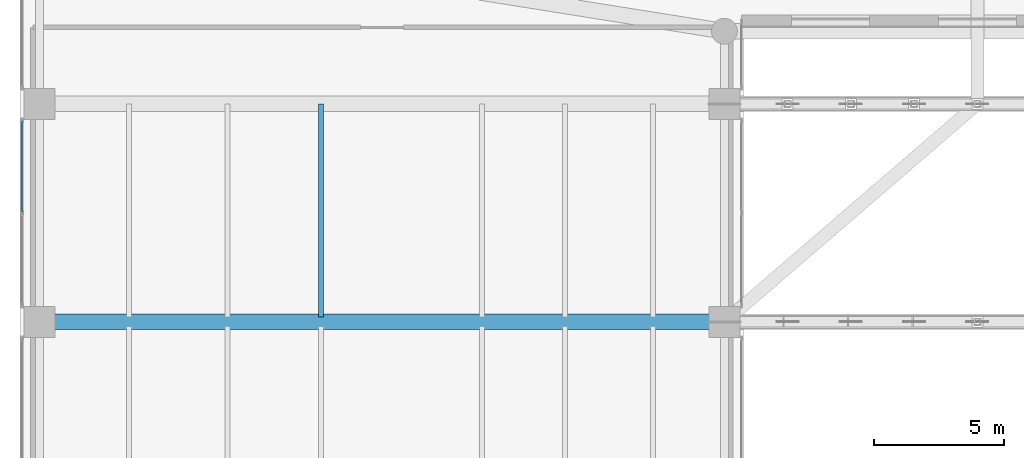
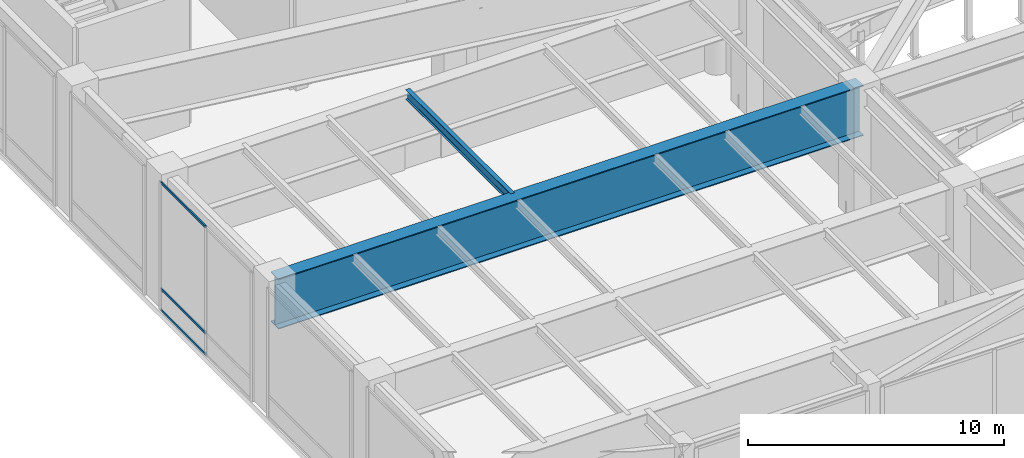
# One storey, part 12 of 50: 3 members, 2 beams, 1 element without a shape of its own.
"""IFC4 building model written with IfcOpenShell, lengths in metres."""

from ifc_helpers import new_model, si_unit, direction, frame, origin, origin_2d, place, context, subcontext, project, spatial, hollow_rectangle, i_section, extrude, source, transform, mapped, material, layer, layer_set, material_profile, profile_set, type_object, type_shapes, element, aggregate, save


model = new_model("IFC4")

# Units and contexts
model_context = context("Model", 3, precision=1e-05, world=origin(), true_north=direction((0.0, 1.0)))
body_context = subcontext(model_context, "Body", "Model", "MODEL_VIEW")
ifc_project = project(units=[si_unit("LENGTHUNIT", "METRE"), si_unit("AREAUNIT", "SQUARE_METRE"), si_unit("VOLUMEUNIT", "CUBIC_METRE"), si_unit("PLANEANGLEUNIT", "RADIAN"), si_unit("MASSUNIT", "GRAM", prefix="KILO")], contexts=[model_context])

# Site, building, storey
site_placement = place(None, origin())
site = spatial("IfcSite", under=ifc_project, at=site_placement, CompositionType="ELEMENT")
building_placement = place(site_placement, origin())
building = spatial("IfcBuilding", under=site, at=building_placement, Name="Tolvann Quenvar Hotel", CompositionType="ELEMENT")
storey_placement = place(building_placement, frame((0.0, 0.0, 16.0)))
storey = spatial("IfcBuildingStorey", under=building, at=storey_placement, Name="L03", CompositionType="ELEMENT", Elevation=16.0)

# Beams
ifc_material_1 = material(Name="Steel Grade 350", Category="steel")
ifc_material_profile_1 = material_profile(ifc_material_1, i_section(OverallWidth=0.18994140625, OverallDepth=0.4541015625, WebThickness=0.008544921875, FlangeThickness=0.0126953125, FilletRadius=0.011474609375, at=origin_2d()), Name="460UB67")
ifc_profile_set_1 = profile_set([ifc_material_profile_1], Name="Steel Grade 350")
beam_type_1 = type_object("IfcBeamType", Name="BM_JOIST_460UB67", PredefinedType="JOIST", material=ifc_profile_set_1)
shared_shape_1 = source(origin(), body_context, "Body", "SweptSolid", [
    extrude(i_section(OverallWidth=0.18994140625, OverallDepth=0.4541015625, WebThickness=0.008544921875, FlangeThickness=0.0126953125, FilletRadius=0.011474609375, at=origin_2d()), origin(), (0.0, 0.0, 1.0), 8.21484375),
])
type_shapes(beam_type_1, [shared_shape_1])
beam_1_placement = place(storey_placement, frame((3.199951171875, 16.18505859375, 5.9130859375), z_axis=(0.0, 1.0, 0.0), x_axis=(-1.0, 0.0, 0.0)))
element("IfcBeam", 1, at=beam_1_placement, inside=storey, type_object=beam_type_1, Name="BJ-L03-32-160", PredefinedType="JOIST", context=body_context, shape_type="MappedRepresentation", body=[
    mapped(shared_shape_1, transform((0.0, 0.0, 0.0), x_axis=(1.0, 0.0, 0.0), y_axis=(0.0, 1.0, 0.0), z_axis=(0.0, 0.0, 1.0), scale=1.0)),
])
ifc_material_profile_2 = material_profile(ifc_material_1, i_section(OverallWidth=0.60009765625, OverallDepth=2.39990234375, WebThickness=0.02001953125, FlangeThickness=0.044921875, at=origin_2d()), Name="2400WB655")
ifc_profile_set_2 = profile_set([ifc_material_profile_2], Name="Steel Grade 350")
beam_type_2 = type_object("IfcBeamType", Name="BM_TG_2400WB655", PredefinedType="USERDEFINED", material=ifc_profile_set_2)
shared_shape_2 = source(origin(), body_context, "Body", "SweptSolid", [
    extrude(i_section(OverallWidth=0.60009765625, OverallDepth=2.39990234375, WebThickness=0.02001953125, FlangeThickness=0.044921875, at=origin_2d()), origin(), (0.0, 0.0, 1.0), 26.39990234375),
])
type_shapes(beam_type_2, [shared_shape_2])
beam_2_placement = place(storey_placement, frame((-7.64990234375, 16.0, 4.93994140625), z_axis=(1.0, 0.0, 0.0), x_axis=(0.0, 1.0, 0.0)))
element("IfcBeam", 2, at=beam_2_placement, inside=storey, type_object=beam_type_2, Name="Ballroom Clear-Span Girder L03-3", ObjectType="TRANSFER GIRDER", PredefinedType="USERDEFINED", context=body_context, shape_type="MappedRepresentation", body=[
    mapped(shared_shape_2, transform((0.0, 0.0, 0.0), x_axis=(1.0, 0.0, 0.0), y_axis=(0.0, 1.0, 0.0), z_axis=(0.0, 0.0, 1.0), scale=1.0)),
])

# Curtain wall, members
ifc_material_2 = material(Name="Thermally broken anodised architectural aluminium 6063-T6 and laminated low-E glass", Category="aluminium")
ifc_layer = layer(ifc_material_2, 0.179931640625)
ifc_layer_set = layer_set([ifc_layer], Name="Thermally broken anodised architectural aluminium 6063-T6 and laminated low-E glass")
curtain_wall_type = type_object("IfcCurtainWallType", Name="CW_SYS_BALL_02", PredefinedType="USERDEFINED", material=ifc_layer_set)
curtain_wall_placement = place(storey_placement, origin())
curtain_wall = element("IfcCurtainWall", 3, at=curtain_wall_placement, inside=storey, type_object=curtain_wall_type, Name="Curtain Wall CW-BALL-02 (CWR-L03-E07-S4)", ObjectType="UNITISED CURTAIN WALL", PredefinedType="USERDEFINED")
ifc_material_3 = material(Name="Anodised architectural aluminium 6063-T6 framing", Category="aluminium")
ifc_material_profile_3 = material_profile(ifc_material_3, hollow_rectangle(XDim=0.06005859375, YDim=0.1201171875, WallThickness=0.00341796875, at=origin_2d()), Name="120x60x3.5RHS")
ifc_profile_set_3 = profile_set([ifc_material_profile_3], Name="Anodised architectural aluminium 6063-T6 framing")
member_type = type_object("IfcMemberType", Name="CW_TRAN_120x60", PredefinedType="USERDEFINED", material=ifc_profile_set_3)
shared_shape_3 = source(origin(), body_context, "Body", "SweptSolid", [
    extrude(hollow_rectangle(XDim=0.06005859375, YDim=0.1201171875, WallThickness=0.00341796875, at=origin_2d()), origin(), (0.0, 0.0, 1.0), 3.490966796875),
])
type_shapes(member_type, [shared_shape_3])
member_1_placement = place(storey_placement, frame((-8.31005859375, 23.72607421875, 0.030029296875), z_axis=(0.0, -1.0, 0.0), x_axis=(1.0, 0.0, 0.0)))
member_1 = element("IfcMember", 4, at=member_1_placement, type_object=member_type, Name="CW-BALL-02 transom 1.1", ObjectType="TRANSOM", PredefinedType="USERDEFINED", context=body_context, shape_type="MappedRepresentation", body=[
    mapped(shared_shape_3, transform((0.0, 0.0, 0.0), x_axis=(1.0, 0.0, 0.0), y_axis=(0.0, 1.0, 0.0), z_axis=(0.0, 0.0, 1.0), scale=1.0)),
])
member_2_placement = place(storey_placement, frame((-8.31005859375, 23.72607421875, 1.050048828125), z_axis=(0.0, -1.0, 0.0), x_axis=(1.0, 0.0, 0.0)))
member_2 = element("IfcMember", 5, at=member_2_placement, type_object=member_type, Name="CW-BALL-02 transom 1.2", ObjectType="TRANSOM", PredefinedType="USERDEFINED", context=body_context, shape_type="MappedRepresentation", body=[
    mapped(shared_shape_3, transform((0.0, 0.0, 0.0), x_axis=(1.0, 0.0, 0.0), y_axis=(0.0, 1.0, 0.0), z_axis=(0.0, 0.0, 1.0), scale=1.0)),
])
member_3_placement = place(storey_placement, frame((-8.31005859375, 23.72607421875, 6.110107421875), z_axis=(0.0, -1.0, 0.0), x_axis=(1.0, 0.0, 0.0)))
member_3 = element("IfcMember", 6, at=member_3_placement, type_object=member_type, Name="CW-BALL-02 transom 1.3", ObjectType="TRANSOM", PredefinedType="USERDEFINED", context=body_context, shape_type="MappedRepresentation", body=[
    mapped(shared_shape_3, transform((0.0, 0.0, 0.0), x_axis=(1.0, 0.0, 0.0), y_axis=(0.0, 1.0, 0.0), z_axis=(0.0, 0.0, 1.0), scale=1.0)),
])
aggregate(curtain_wall, [member_1, member_2, member_3])

save(model, "model.ifc")
